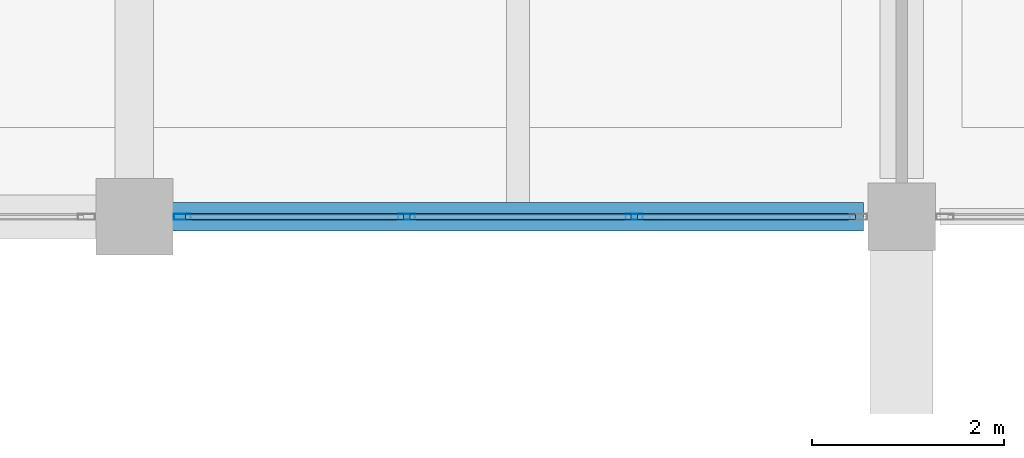
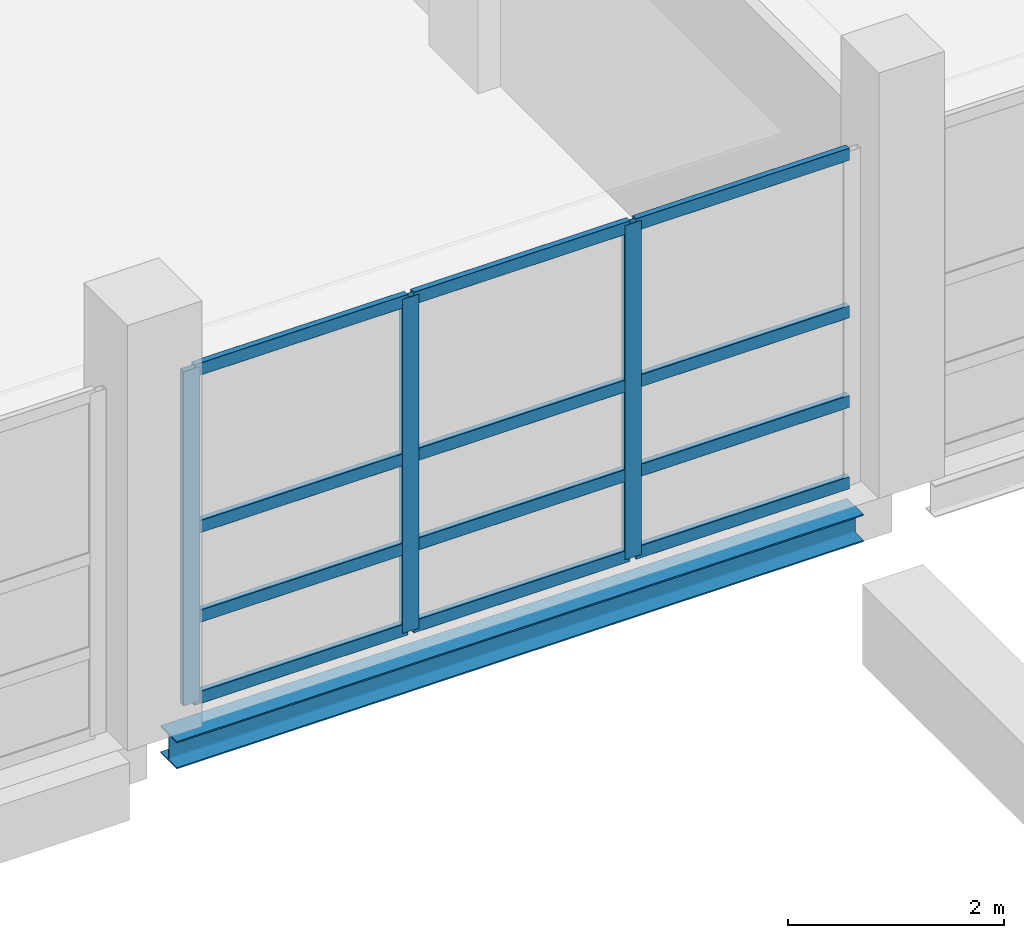
# One storey, part 49 of 107: 15 members, 1 beam, 1 element without a shape of its own.
"""IFC4 building model written with IfcOpenShell, lengths in metres."""

import ifcopenshell
import ifcopenshell.guid

model = None  # the IFC model being written
_history = None  # IfcOwnerHistory: only IFC2X3 demands one
_inside = {}  # id of a spatial element -> (the spatial element, [elements in it])
_under = {}  # id of a project, library or spatial element -> (it, [spatial elements below it])
_declared = {}  # id of a project -> (the project, [libraries it declares])
_typed = {}  # id of a type object -> (the type object, [elements of that type])
_made_of = {}  # id of a material, layer set ... -> (it, [elements and type objects made of it])


def new_model(schema):
    """Start an empty IFC model of exactly this schema.

    Asked for "IFC4X3", IfcOpenShell would pick the latest addendum, in which some entities
    have other attributes; the version numbers below select the first issue.
    IFC2X3 requires an IfcOwnerHistory on every rooted entity: one is made here for all.
    """
    global model, _history
    if schema == "IFC4X3":
        model = ifcopenshell.file(schema_version=(4, 3, 0, 0))
    else:
        model = ifcopenshell.file(schema=schema)
    _inside.clear()
    _under.clear()
    _declared.clear()
    _typed.clear()
    _made_of.clear()
    _history = None
    if model.schema == "IFC2X3":
        org = make("IfcOrganization", Name="unknown")
        user = make(
            "IfcPersonAndOrganization",
            ThePerson=make("IfcPerson", FamilyName="unknown"),
            TheOrganization=org,
        )
        app = make(
            "IfcApplication",
            ApplicationDeveloper=org,
            Version="unknown",
            ApplicationFullName="unknown",
            ApplicationIdentifier="unknown",
        )
        _history = make(
            "IfcOwnerHistory",
            OwningUser=user,
            OwningApplication=app,
            ChangeAction="ADDED",
            CreationDate=0,
        )
    return model


def make(cls, **values):
    """One entity of the class cls with the attributes given. An attribute that is None is left unset."""
    return model.create_entity(
        cls, **{name: value for name, value in values.items() if value is not None}
    )


def rooted(cls, **values):
    """An entity with a GlobalId (a new one), such as an element, a storey or a relation."""
    return make(cls, GlobalId=ifcopenshell.guid.new(), OwnerHistory=_history, **values)


def si_unit(unit_type, name, prefix=None):
    """IfcSIUnit, for example si_unit("LENGTHUNIT", "METRE", prefix="MILLI")."""
    return make("IfcSIUnit", UnitType=unit_type, Prefix=prefix, Name=name)


def assignment(units):
    """IfcUnitAssignment: the units of a project."""
    return None if units is None else make("IfcUnitAssignment", Units=units)


def point(xyz):
    """IfcCartesianPoint."""
    return None if xyz is None else make("IfcCartesianPoint", Coordinates=xyz)


def direction(xyz):
    """IfcDirection."""
    return None if xyz is None else make("IfcDirection", DirectionRatios=xyz)


def frame(location, z_axis=None, x_axis=None):
    """IfcAxis2Placement3D, a coordinate frame: its origin and axes. An axis left out is left unset."""
    return make(
        "IfcAxis2Placement3D",
        Location=point(location),
        Axis=direction(z_axis),
        RefDirection=direction(x_axis),
    )


def frame_2d(location, x_axis=None):
    """IfcAxis2Placement2D, a coordinate frame in the plane: its origin and x axis."""
    return make(
        "IfcAxis2Placement2D", Location=point(location), RefDirection=direction(x_axis)
    )


def origin():
    """The frame at (0, 0, 0) with its axes left unset."""
    return frame((0.0, 0.0, 0.0))


def origin_2d():
    """The frame at (0, 0) in the plane with its x axis left unset."""
    return frame_2d((0.0, 0.0))


def place(relative_to, where):
    """IfcLocalPlacement: puts the frame where relative to a parent placement (None: the world)."""
    return make(
        "IfcLocalPlacement", PlacementRelTo=relative_to, RelativePlacement=where
    )


def context(
    kind, dimensions, precision=None, world=None, true_north=None, identifier=None
):
    """IfcGeometricRepresentationContext, for example the 3D "Model" context."""
    return make(
        "IfcGeometricRepresentationContext",
        ContextIdentifier=identifier,
        ContextType=kind,
        CoordinateSpaceDimension=dimensions,
        Precision=precision,
        WorldCoordinateSystem=world,
        TrueNorth=true_north,
    )


def subcontext(parent, identifier, kind, view, scale=None):
    """IfcGeometricRepresentationSubContext, for example "Body" below "Model"."""
    return make(
        "IfcGeometricRepresentationSubContext",
        ContextIdentifier=identifier,
        ContextType=kind,
        ParentContext=parent,
        TargetScale=scale,
        TargetView=view,
    )


def project(units=None, contexts=None):
    """IfcProject with its units and contexts."""
    return rooted(
        "IfcProject",
        Name="project",
        RepresentationContexts=contexts,
        UnitsInContext=assignment(units),
    )


def spatial(cls, under=None, at=None, **own):
    """A site, building, storey or space (cls), placed at a placement, below another one or the project."""
    s = rooted(cls, ObjectPlacement=at, **own)
    if under is not None:
        _under.setdefault(under.id(), (under, []))[1].append(s)
    return s


def profile(cls, at=None, kind="AREA", **sizes):
    """A parametric profile (cls). Its sizes go by their IFC names, for example OverallWidth=200.0."""
    return make(cls, ProfileType=kind, Position=at, **sizes)


def hollow_rectangle(**sizes):
    """IfcRectangleHollowProfileDef."""
    return profile("IfcRectangleHollowProfileDef", **sizes)


def i_section(**sizes):
    """IfcIShapeProfileDef."""
    return profile("IfcIShapeProfileDef", **sizes)


def extrude(swept, where, along, depth):
    """IfcExtrudedAreaSolid: the profile swept, set in the frame where, extruded along a direction by depth."""
    return make(
        "IfcExtrudedAreaSolid",
        SweptArea=swept,
        Position=where,
        ExtrudedDirection=direction(along),
        Depth=depth,
    )


def shape(context_of_items, identifier, shape_type, items):
    """IfcShapeRepresentation: the items that make up one representation, for example the "Body"."""
    return make(
        "IfcShapeRepresentation",
        ContextOfItems=context_of_items,
        RepresentationIdentifier=identifier,
        RepresentationType=shape_type,
        Items=items,
    )


def material(Name=None, Category=None):
    """IfcMaterial."""
    return make("IfcMaterial", Name=Name, Category=Category)


def material_profile(
    of_material, cross_section, Name=None, Category=None, Priority=None
):
    """IfcMaterialProfile: a cross section and its material."""
    return make(
        "IfcMaterialProfile",
        Name=Name,
        Material=of_material,
        Profile=cross_section,
        Priority=Priority,
        Category=Category,
    )


def profile_set(profiles, Name=None, composite=None):
    """IfcMaterialProfileSet."""
    return make(
        "IfcMaterialProfileSet",
        Name=Name,
        MaterialProfiles=profiles,
        CompositeProfile=composite,
    )


def made_of(thing, what):
    """Note that an element or type object is made of a material, layer set ...; save() writes the relation."""
    if what is not None:
        _made_of.setdefault(what.id(), (what, []))[1].append(thing)
    return thing


def type_object(cls, material=None, **own):
    """A type object (cls), such as IfcWallType, which elements share."""
    return made_of(rooted(cls, **own), material)


def element(
    cls,
    number,
    at=None,
    inside=None,
    cuts=None,
    type_object=None,
    material=None,
    context=None,
    identifier="Body",
    shape_type=None,
    held_by="IfcProductDefinitionShape",
    body=None,
    shapes=None,
    **own,
):
    """One element of the class cls, such as IfcWall. Its Tag is "e" and its number.

    at: its placement. inside: the storey or other place that contains it. cuts: it is an
    opening in that element (IfcRelVoidsElement). A single representation is given by context,
    identifier, shape_type and body (its items); several are given by shapes. held_by: the class
    of the entity that holds the representations. save() writes the other relations.
    """
    e = rooted(cls, Tag="e%d" % number, ObjectPlacement=at, **own)
    if body is not None:
        shapes = [shape(context, identifier, shape_type, body)]
    if shapes is not None:
        e.Representation = make(held_by, Representations=shapes)
    if inside is not None:
        _inside.setdefault(inside.id(), (inside, []))[1].append(e)
    if cuts is not None:
        rooted(
            "IfcRelVoidsElement", RelatingBuildingElement=cuts, RelatedOpeningElement=e
        )
    if type_object is not None:
        _typed.setdefault(type_object.id(), (type_object, []))[1].append(e)
    return made_of(e, material)


def aggregate(whole, parts):
    """IfcRelAggregates: a whole, such as a stair, and the parts it consists of."""
    return rooted("IfcRelAggregates", RelatingObject=whole, RelatedObjects=parts)


def save(model, path):
    """Write the relations noted so far, then the file.

    IfcRelAggregates (storeys below a building ...), IfcRelContainedInSpatialStructure (elements
    in a storey), IfcRelDefinesByType, IfcRelAssociatesMaterial and IfcRelDeclares: one each for
    every whole, place, type object, material and project.
    """
    for whole, parts in _under.values():
        aggregate(whole, parts)
    for where, things in _inside.values():
        rooted(
            "IfcRelContainedInSpatialStructure",
            RelatedElements=things,
            RelatingStructure=where,
        )
    for kind, things in _typed.values():
        rooted("IfcRelDefinesByType", RelatedObjects=things, RelatingType=kind)
    for what, things in _made_of.values():
        rooted("IfcRelAssociatesMaterial", RelatedObjects=things, RelatingMaterial=what)
    for by, libraries in _declared.values():
        rooted("IfcRelDeclares", RelatingContext=by, RelatedDefinitions=libraries)
    model.write(path)


model = new_model("IFC4")

# Units and contexts
model_context = context("Model", 3, precision=1e-05, world=origin(), true_north=direction((0.0, 1.0)))
body_context = subcontext(model_context, "Body", "Model", "MODEL_VIEW")
ifc_project = project(units=[si_unit("LENGTHUNIT", "METRE"), si_unit("AREAUNIT", "SQUARE_METRE"), si_unit("VOLUMEUNIT", "CUBIC_METRE"), si_unit("PLANEANGLEUNIT", "RADIAN"), si_unit("MASSUNIT", "GRAM", prefix="KILO")], contexts=[model_context])

# Site, building, storey
site_placement = place(None, origin())
site = spatial("IfcSite", under=ifc_project, at=site_placement, CompositionType="ELEMENT")
building_placement = place(site_placement, origin())
building = spatial("IfcBuilding", under=site, at=building_placement, Name="Khelvaren Railside Concert Hall", CompositionType="ELEMENT")
storey_placement = place(building_placement, frame((0.0, 0.0, 15.0)))
storey = spatial("IfcBuildingStorey", under=building, at=storey_placement, Name="L03", CompositionType="ELEMENT", Elevation=15.0)

# Curtain wall, members
ifc_material_1 = material(Name="Double-glazed low-E dark acoustic glass", Category="glass")
curtain_wall_type = type_object("IfcCurtainWallType", Name="CW69", PredefinedType="USERDEFINED", material=ifc_material_1)
curtain_wall_placement = place(storey_placement, origin())
curtain_wall = element("IfcCurtainWall", 1, at=curtain_wall_placement, inside=storey, type_object=curtain_wall_type, Name="Unitised Curtain Wall CW-V5-L03-S-152", ObjectType="UNITISED CURTAIN WALL", PredefinedType="USERDEFINED")
ifc_material_2 = material(Name="Anodised architectural aluminium 6063-T6", Category="aluminium")
ifc_material_profile_1 = material_profile(ifc_material_2, hollow_rectangle(XDim=0.06494140625, YDim=0.179931640625, WallThickness=0.00390625, InnerFilletRadius=0.001953125, OuterFilletRadius=0.00390625, at=origin_2d()), Name="CWM 65x180x4")
ifc_profile_set_1 = profile_set([ifc_material_profile_1], Name="Anodised architectural aluminium 6063-T6")
member_type_1 = type_object("IfcMemberType", Name="CWM63", PredefinedType="MULLION", material=ifc_profile_set_1)
member_1_placement = place(storey_placement, frame((157.2109375, 91.199951171875, 0.0), z_axis=(0.0, 0.0, 1.0), x_axis=(0.0, -1.0, 0.0)))
member_1 = element("IfcMember", 2, at=member_1_placement, type_object=member_type_1, Name="CW69 mullion 2", PredefinedType="MULLION", context=body_context, shape_type="SweptSolid", body=[
    extrude(hollow_rectangle(XDim=0.06494140625, YDim=0.179931640625, WallThickness=0.00390625, InnerFilletRadius=0.001953125, OuterFilletRadius=0.00390625, at=origin_2d()), origin(), (0.0, 0.0, 1.0), 3.77001953125),
])
member_2_placement = place(storey_placement, frame((154.839111328125, 91.199951171875, 0.0), z_axis=(0.0, 0.0, 1.0), x_axis=(0.0, -1.0, 0.0)))
member_2 = element("IfcMember", 3, at=member_2_placement, type_object=member_type_1, Name="CW69 mullion 3", PredefinedType="MULLION", context=body_context, shape_type="SweptSolid", body=[
    extrude(hollow_rectangle(XDim=0.06494140625, YDim=0.179931640625, WallThickness=0.00390625, InnerFilletRadius=0.001953125, OuterFilletRadius=0.00390625, at=origin_2d()), origin(), (0.0, 0.0, 1.0), 3.77001953125),
])
member_3_placement = place(storey_placement, frame((152.5, 91.199951171875, 0.0), z_axis=(0.0, 0.0, 1.0), x_axis=(0.0, -1.0, 0.0)))
member_3 = element("IfcMember", 4, at=member_3_placement, type_object=member_type_1, Name="CW69 mullion 4", PredefinedType="MULLION", context=body_context, shape_type="SweptSolid", body=[
    extrude(hollow_rectangle(XDim=0.06494140625, YDim=0.179931640625, WallThickness=0.00390625, InnerFilletRadius=0.001953125, OuterFilletRadius=0.00390625, at=origin_2d()), origin(), (0.0, 0.0, 1.0), 3.77001953125),
])
ifc_material_profile_2 = material_profile(ifc_material_2, hollow_rectangle(XDim=0.06494140625, YDim=0.139892578125, WallThickness=0.00390625, InnerFilletRadius=0.001953125, OuterFilletRadius=0.00390625, at=origin_2d()), Name="CWT 65x140x4")
ifc_profile_set_2 = profile_set([ifc_material_profile_2], Name="Anodised architectural aluminium 6063-T6")
member_type_2 = type_object("IfcMemberType", Name="CWT72", PredefinedType="USERDEFINED", material=ifc_profile_set_2)
member_4_placement = place(storey_placement, frame((159.517578125, 91.199951171875, 0.032470703125), z_axis=(-1.0, 0.0, 0.0), x_axis=(0.0, -1.0, 0.0)))
member_4 = element("IfcMember", 5, at=member_4_placement, type_object=member_type_2, Name="CW69 transom 1.1", ObjectType="TRANSOM", PredefinedType="USERDEFINED", context=body_context, shape_type="SweptSolid", body=[
    extrude(hollow_rectangle(XDim=0.06494140625, YDim=0.139892578125, WallThickness=0.00390625, InnerFilletRadius=0.001953125, OuterFilletRadius=0.00390625, at=origin_2d()), origin(), (0.0, 0.0, 1.0), 2.274169921875),
])
member_5_placement = place(storey_placement, frame((159.517578125, 91.199951171875, 0.949951171875), z_axis=(-1.0, 0.0, 0.0), x_axis=(0.0, -1.0, 0.0)))
member_5 = element("IfcMember", 6, at=member_5_placement, type_object=member_type_2, Name="CW69 transom 1.2", ObjectType="TRANSOM", PredefinedType="USERDEFINED", context=body_context, shape_type="SweptSolid", body=[
    extrude(hollow_rectangle(XDim=0.06494140625, YDim=0.139892578125, WallThickness=0.00390625, InnerFilletRadius=0.001953125, OuterFilletRadius=0.00390625, at=origin_2d()), origin(), (0.0, 0.0, 1.0), 2.274169921875),
])
member_6_placement = place(storey_placement, frame((159.517578125, 91.199951171875, 1.96044921875), z_axis=(-1.0, 0.0, 0.0), x_axis=(0.0, -1.0, 0.0)))
member_6 = element("IfcMember", 7, at=member_6_placement, type_object=member_type_2, Name="CW69 transom 1.3", ObjectType="TRANSOM", PredefinedType="USERDEFINED", context=body_context, shape_type="SweptSolid", body=[
    extrude(hollow_rectangle(XDim=0.06494140625, YDim=0.139892578125, WallThickness=0.00390625, InnerFilletRadius=0.001953125, OuterFilletRadius=0.00390625, at=origin_2d()), origin(), (0.0, 0.0, 1.0), 2.274169921875),
])
member_7_placement = place(storey_placement, frame((159.517578125, 91.199951171875, 3.737548828125), z_axis=(-1.0, 0.0, 0.0), x_axis=(0.0, -1.0, 0.0)))
member_7 = element("IfcMember", 8, at=member_7_placement, type_object=member_type_2, Name="CW69 transom 1.4", ObjectType="TRANSOM", PredefinedType="USERDEFINED", context=body_context, shape_type="SweptSolid", body=[
    extrude(hollow_rectangle(XDim=0.06494140625, YDim=0.139892578125, WallThickness=0.00390625, InnerFilletRadius=0.001953125, OuterFilletRadius=0.00390625, at=origin_2d()), origin(), (0.0, 0.0, 1.0), 2.274169921875),
])
member_8_placement = place(storey_placement, frame((157.17822265625, 91.199951171875, 0.032470703125), z_axis=(-1.0, 0.0, 0.0), x_axis=(0.0, -1.0, 0.0)))
member_8 = element("IfcMember", 9, at=member_8_placement, type_object=member_type_2, Name="CW69 transom 2.1", ObjectType="TRANSOM", PredefinedType="USERDEFINED", context=body_context, shape_type="SweptSolid", body=[
    extrude(hollow_rectangle(XDim=0.06494140625, YDim=0.139892578125, WallThickness=0.00390625, InnerFilletRadius=0.001953125, OuterFilletRadius=0.00390625, at=origin_2d()), origin(), (0.0, 0.0, 1.0), 2.306640625),
])
member_9_placement = place(storey_placement, frame((157.17822265625, 91.199951171875, 0.949951171875), z_axis=(-1.0, 0.0, 0.0), x_axis=(0.0, -1.0, 0.0)))
member_9 = element("IfcMember", 10, at=member_9_placement, type_object=member_type_2, Name="CW69 transom 2.2", ObjectType="TRANSOM", PredefinedType="USERDEFINED", context=body_context, shape_type="SweptSolid", body=[
    extrude(hollow_rectangle(XDim=0.06494140625, YDim=0.139892578125, WallThickness=0.00390625, InnerFilletRadius=0.001953125, OuterFilletRadius=0.00390625, at=origin_2d()), origin(), (0.0, 0.0, 1.0), 2.306640625),
])
member_10_placement = place(storey_placement, frame((157.17822265625, 91.199951171875, 1.96044921875), z_axis=(-1.0, 0.0, 0.0), x_axis=(0.0, -1.0, 0.0)))
member_10 = element("IfcMember", 11, at=member_10_placement, type_object=member_type_2, Name="CW69 transom 2.3", ObjectType="TRANSOM", PredefinedType="USERDEFINED", context=body_context, shape_type="SweptSolid", body=[
    extrude(hollow_rectangle(XDim=0.06494140625, YDim=0.139892578125, WallThickness=0.00390625, InnerFilletRadius=0.001953125, OuterFilletRadius=0.00390625, at=origin_2d()), origin(), (0.0, 0.0, 1.0), 2.306640625),
])
member_11_placement = place(storey_placement, frame((157.17822265625, 91.199951171875, 3.737548828125), z_axis=(-1.0, 0.0, 0.0), x_axis=(0.0, -1.0, 0.0)))
member_11 = element("IfcMember", 12, at=member_11_placement, type_object=member_type_2, Name="CW69 transom 2.4", ObjectType="TRANSOM", PredefinedType="USERDEFINED", context=body_context, shape_type="SweptSolid", body=[
    extrude(hollow_rectangle(XDim=0.06494140625, YDim=0.139892578125, WallThickness=0.00390625, InnerFilletRadius=0.001953125, OuterFilletRadius=0.00390625, at=origin_2d()), origin(), (0.0, 0.0, 1.0), 2.306640625),
])
member_12_placement = place(storey_placement, frame((154.806640625, 91.199951171875, 0.032470703125), z_axis=(-1.0, 0.0, 0.0), x_axis=(0.0, -1.0, 0.0)))
member_12 = element("IfcMember", 13, at=member_12_placement, type_object=member_type_2, Name="CW69 transom 3.1", ObjectType="TRANSOM", PredefinedType="USERDEFINED", context=body_context, shape_type="SweptSolid", body=[
    extrude(hollow_rectangle(XDim=0.06494140625, YDim=0.139892578125, WallThickness=0.00390625, InnerFilletRadius=0.001953125, OuterFilletRadius=0.00390625, at=origin_2d()), origin(), (0.0, 0.0, 1.0), 2.274169921875),
])
member_13_placement = place(storey_placement, frame((154.806640625, 91.199951171875, 0.949951171875), z_axis=(-1.0, 0.0, 0.0), x_axis=(0.0, -1.0, 0.0)))
member_13 = element("IfcMember", 14, at=member_13_placement, type_object=member_type_2, Name="CW69 transom 3.2", ObjectType="TRANSOM", PredefinedType="USERDEFINED", context=body_context, shape_type="SweptSolid", body=[
    extrude(hollow_rectangle(XDim=0.06494140625, YDim=0.139892578125, WallThickness=0.00390625, InnerFilletRadius=0.001953125, OuterFilletRadius=0.00390625, at=origin_2d()), origin(), (0.0, 0.0, 1.0), 2.274169921875),
])
member_14_placement = place(storey_placement, frame((154.806640625, 91.199951171875, 1.96044921875), z_axis=(-1.0, 0.0, 0.0), x_axis=(0.0, -1.0, 0.0)))
member_14 = element("IfcMember", 15, at=member_14_placement, type_object=member_type_2, Name="CW69 transom 3.3", ObjectType="TRANSOM", PredefinedType="USERDEFINED", context=body_context, shape_type="SweptSolid", body=[
    extrude(hollow_rectangle(XDim=0.06494140625, YDim=0.139892578125, WallThickness=0.00390625, InnerFilletRadius=0.001953125, OuterFilletRadius=0.00390625, at=origin_2d()), origin(), (0.0, 0.0, 1.0), 2.274169921875),
])
member_15_placement = place(storey_placement, frame((154.806640625, 91.199951171875, 3.737548828125), z_axis=(-1.0, 0.0, 0.0), x_axis=(0.0, -1.0, 0.0)))
member_15 = element("IfcMember", 16, at=member_15_placement, type_object=member_type_2, Name="CW69 transom 3.4", ObjectType="TRANSOM", PredefinedType="USERDEFINED", context=body_context, shape_type="SweptSolid", body=[
    extrude(hollow_rectangle(XDim=0.06494140625, YDim=0.139892578125, WallThickness=0.00390625, InnerFilletRadius=0.001953125, OuterFilletRadius=0.00390625, at=origin_2d()), origin(), (0.0, 0.0, 1.0), 2.274169921875),
])
aggregate(curtain_wall, [member_1, member_2, member_3, member_4, member_5, member_6, member_7, member_8, member_9, member_10, member_11, member_12, member_13, member_14, member_15])

# Beam
ifc_material_3 = material(Name="Steel S355", Category="steel")
ifc_material_profile_3 = material_profile(ifc_material_3, i_section(OverallWidth=0.300048828125, OverallDepth=0.31005859375, WebThickness=0.009033203125, FlangeThickness=0.015380859375, FilletRadius=0.027099609375, at=origin_2d()), Name="HEA 320")
ifc_profile_set_3 = profile_set([ifc_material_profile_3], Name="Steel S355")
beam_type = type_object("IfcBeamType", Name="SP66", PredefinedType="SPANDREL", material=ifc_profile_set_3)
beam_placement = place(storey_placement, frame((152.27294921875, 91.199951171875, -0.43505859375), z_axis=(1.0, 0.0, 0.0), x_axis=(0.0, 1.0, 0.0)))
element("IfcBeam", 17, at=beam_placement, inside=storey, type_object=beam_type, Name="V5 L03 Spandrel X2.4", PredefinedType="SPANDREL", context=body_context, shape_type="SweptSolid", body=[
    extrude(i_section(OverallWidth=0.300048828125, OverallDepth=0.31005859375, WebThickness=0.009033203125, FlangeThickness=0.015380859375, FilletRadius=0.027099609375, at=origin_2d()), origin(), (0.0, 0.0, 1.0), 7.3271484375),
])

save(model, "model.ifc")
